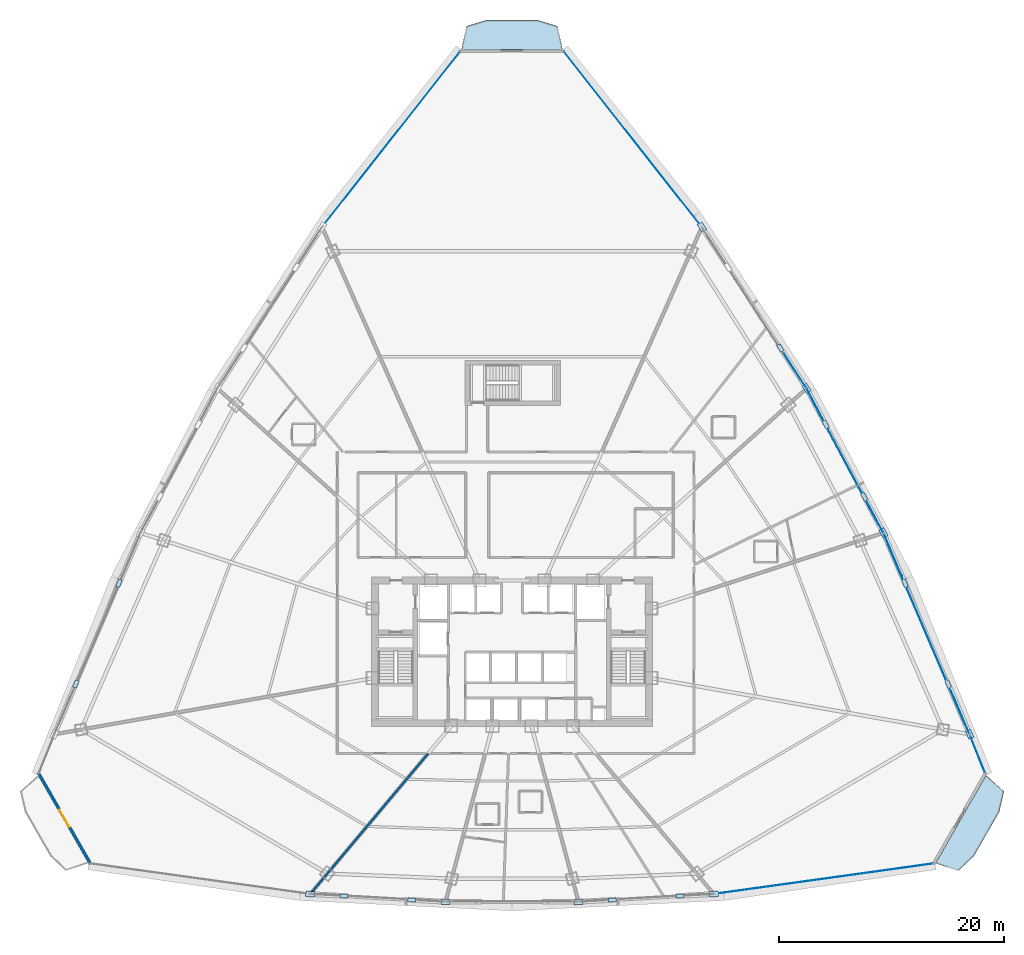
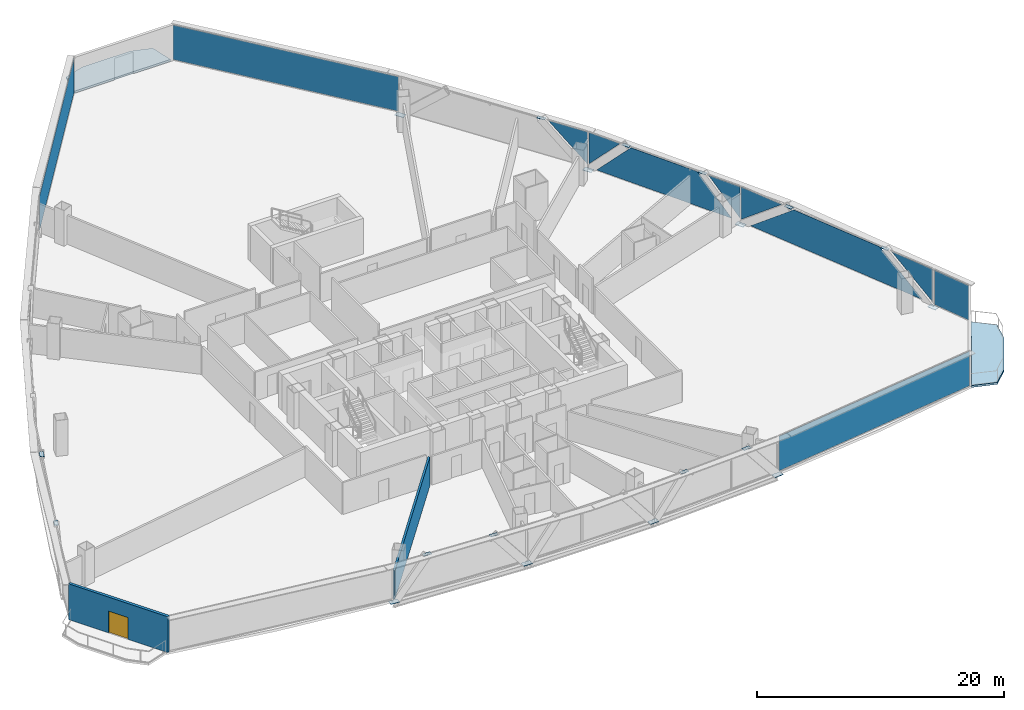
# One storey, part 29 of 38: 30 plates, 2 slabs, 2 walls, 1 door, 1 opening, 7 elements without a shape of their own.
"""IFC4 building model written with IfcOpenShell, lengths in metres."""

from ifc_helpers import new_model, si_unit, direction, frame, frame_2d, origin, origin_with_axes, origin_2d, place, context, subcontext, project, spatial, polyline, rectangle, outline, extrude, source, transform, mapped, material, layer, layer_set, type_object, element, fill, aggregate, save


model = new_model("IFC4")

# Units and contexts
model_context = context("Model", 3, precision=1e-05, world=origin(), true_north=direction((0.0, 1.0)))
body_context = subcontext(model_context, "Body", "Model", "MODEL_VIEW")
ifc_project = project(units=[si_unit("LENGTHUNIT", "METRE"), si_unit("AREAUNIT", "SQUARE_METRE"), si_unit("VOLUMEUNIT", "CUBIC_METRE"), si_unit("PLANEANGLEUNIT", "RADIAN"), si_unit("MASSUNIT", "GRAM", prefix="KILO"), si_unit("THERMODYNAMICTEMPERATUREUNIT", "KELVIN"), si_unit("POWERUNIT", "WATT")], contexts=[model_context])

# Site, building, storey
site_placement = place(None, origin())
site = spatial("IfcSite", under=ifc_project, at=site_placement, CompositionType="ELEMENT")
building_placement = place(site_placement, origin())
building = spatial("IfcBuilding", under=site, at=building_placement, Name="Yunzhuo Pagoda Commons", CompositionType="ELEMENT")
storey_placement = place(building_placement, frame((0.0, 0.0, 81.179931640625)))
storey = spatial("IfcBuildingStorey", under=building, at=storey_placement, Name="L20", CompositionType="ELEMENT", Elevation=81.179931640625)

# Curtain wall, plates
ifc_material_1 = material(Name="Anodized aluminium 6063-T6", Category="aluminium")
ifc_layer_1 = layer(ifc_material_1, 0.1650390625)
ifc_layer_set_1 = layer_set([ifc_layer_1], Name="Anodized aluminium 6063-T6")
curtain_wall_type = type_object("IfcCurtainWallType", Name="CW-LOW Low-Zone Ribbon Curtain Wall", PredefinedType="NOTDEFINED", material=ifc_layer_set_1)
curtain_wall_1_placement = place(storey_placement, origin())
curtain_wall_1 = element("IfcCurtainWall", 1, at=curtain_wall_1_placement, inside=storey, type_object=curtain_wall_type, Name="L20 curtain wall CW-L20-F2B2", PredefinedType="NOTDEFINED")
ifc_material_2 = material(Name="Tempered low-e double glazing", Category="glass")
ifc_layer_2 = layer(ifc_material_2, 0.028076171875)
ifc_layer_set_2 = layer_set([ifc_layer_2], Name="Tempered low-e double glazing")
plate_type_1 = type_object("IfcPlateType", Name="CW-LOW-P Low-E Double Glazing 28", PredefinedType="CURTAIN_PANEL", material=ifc_layer_set_2)
plate_1_placement = place(storey_placement, frame((87.89404296875, 28.461669921875, 1.876220703125), z_axis=(0.919250024103, 0.39367422215, 0.0), x_axis=(-0.39367422215, 0.919250024103, 0.0)))
plate_1 = element("IfcPlate", 2, at=plate_1_placement, type_object=plate_type_1, Name="CW panel 1.1 lite 1", PredefinedType="CURTAIN_PANEL", context=body_context, shape_type="SweptSolid", body=[
    extrude(outline(polyline([(-2.0576171875, -1.603759765625), (2.0576171875, 1.603759765625), (-2.0576171875, 1.603759765625), (-2.0576171875, -1.603759765625)])), origin(), (0.0, 0.0, 1.0), 0.028076171875),
])
plate_2_placement = place(storey_placement, frame((84.863525390625, 35.46240234375, 1.77001953125), z_axis=(0.919250024103, 0.39367422215, 0.0), x_axis=(-0.39367422215, 0.919250024103, 0.0)))
plate_2 = element("IfcPlate", 3, at=plate_2_placement, type_object=plate_type_1, Name="CW panel 1.1 lite 2", PredefinedType="CURTAIN_PANEL", context=body_context, shape_type="SweptSolid", body=[
    extrude(outline(polyline([(-8.722412109375, -1.7099609375), (8.722412109375, -1.7099609375), (4.33447265625, 1.7099609375), (-4.33447265625, 1.7099609375), (-8.722412109375, -1.7099609375)])), origin(), (0.0, 0.0, 1.0), 0.028076171875),
])
plate_3_placement = place(storey_placement, frame((81.887939453125, 42.486572265625, 1.876220703125), z_axis=(0.919250024103, 0.39367422215, 0.0), x_axis=(-0.39367422215, 0.919250024103, 0.0)))
plate_3 = element("IfcPlate", 4, at=plate_3_placement, type_object=plate_type_1, Name="CW panel 1.1 lite 3", PredefinedType="CURTAIN_PANEL", context=body_context, shape_type="SweptSolid", body=[
    extrude(outline(polyline([(-2.0576171875, 1.603759765625), (2.0576171875, -1.603759765625), (2.0576171875, 1.603759765625), (-2.0576171875, 1.603759765625)])), origin(), (0.0, 0.0, 1.0), 0.028076171875),
])
aggregate(curtain_wall_1, [plate_1, plate_2, plate_3])

curtain_wall_2_placement = place(storey_placement, origin())
curtain_wall_2 = element("IfcCurtainWall", 5, at=curtain_wall_2_placement, inside=storey, type_object=curtain_wall_type, Name="L20 curtain wall CW-L20-F2B3", PredefinedType="NOTDEFINED")
plate_4_placement = place(storey_placement, frame((80.31884765625, 45.81591796875, 1.91845703125), z_axis=(0.8828050059, 0.469739631666, 0.0), x_axis=(-0.469739631666, 0.8828050059, 0.0)))
plate_4 = element("IfcPlate", 6, at=plate_4_placement, type_object=plate_type_1, Name="CW panel 1.1 lite 1", PredefinedType="CURTAIN_PANEL", context=body_context, shape_type="SweptSolid", body=[
    extrude(outline(polyline([(-1.4970703125, -1.5615234375), (1.4970703125, 1.5615234375), (-1.4970703125, 1.5615234375), (-1.4970703125, -1.5615234375)])), origin(), (0.0, 0.0, 1.0), 0.028076171875),
])
plate_5_placement = place(storey_placement, frame((77.603515625, 50.855224609375, 1.77001953125), z_axis=(0.8828050059, 0.469739631666, 0.0), x_axis=(-0.469739631666, 0.8828050059, 0.0)))
plate_5 = element("IfcPlate", 7, at=plate_5_placement, type_object=plate_type_1, Name="CW panel 1.1 lite 2", PredefinedType="CURTAIN_PANEL", context=body_context, shape_type="SweptSolid", body=[
    extrude(outline(polyline([(-6.453125, -1.7099609375), (6.453125, -1.7099609375), (3.17431640625, 1.7099609375), (-3.17431640625, 1.7099609375), (-6.453125, -1.7099609375)])), origin(), (0.0, 0.0, 1.0), 0.028076171875),
])
plate_6_placement = place(storey_placement, frame((74.941162109375, 55.922607421875, 1.91845703125), z_axis=(0.8828050059, 0.469739631666, 0.0), x_axis=(-0.469739631666, 0.8828050059, 0.0)))
plate_6 = element("IfcPlate", 8, at=plate_6_placement, type_object=plate_type_1, Name="CW panel 1.1 lite 3", PredefinedType="CURTAIN_PANEL", context=body_context, shape_type="SweptSolid", body=[
    extrude(outline(polyline([(-1.4970703125, 1.5615234375), (1.497314453125, -1.5615234375), (1.497314453125, 1.5615234375), (-1.4970703125, 1.5615234375)])), origin(), (0.0, 0.0, 1.0), 0.028076171875),
])
aggregate(curtain_wall_2, [plate_4, plate_5, plate_6])

# Curtain wall, plate
curtain_wall_3_placement = place(storey_placement, origin())
curtain_wall_3 = element("IfcCurtainWall", 9, at=curtain_wall_3_placement, inside=storey, type_object=curtain_wall_type, Name="L20 curtain wall CW-L20-F2B4", PredefinedType="NOTDEFINED")
plate_7_placement = place(storey_placement, frame((73.2001953125, 58.8544921875, 1.89306640625), z_axis=(0.838906636672, 0.544275348466, 0.0), x_axis=(-0.544275348466, 0.838906636672, 0.0)))
plate_7 = element("IfcPlate", 10, at=plate_7_placement, type_object=plate_type_1, Name="CW panel 1.1 lite 1", PredefinedType="CURTAIN_PANEL", context=body_context, shape_type="SweptSolid", body=[
    extrude(outline(polyline([(-1.787109375, -1.5869140625), (1.787109375, 1.587158203125), (-1.787109375, 1.587158203125), (-1.787109375, -1.5869140625)])), origin(), (0.0, 0.0, 1.0), 0.028076171875),
])
aggregate(curtain_wall_3, [plate_7])

# Slabs
ifc_material_3 = material(Name="Concrete C40", Category="concrete")
ifc_layer_3 = layer(ifc_material_3, 0.199951171875)
ifc_layer_set_3 = layer_set([ifc_layer_3], Name="Concrete C40")
slab_type = type_object("IfcSlabType", Name="SL-BAL Vertex Balcony Deck Slab 200", PredefinedType="FLOOR", material=ifc_layer_set_3)
slab_1_placement = place(storey_placement, frame((0.0, 0.0, -0.199951171875)))
element("IfcSlab", 11, at=slab_1_placement, inside=storey, type_object=slab_type, Name="L20 corner balcony V2", PredefinedType="FLOOR", context=body_context, shape_type="SweptSolid", body=[
    extrude(outline(polyline([(85.70166015625, 15.026123046875), (90.2041015625, 22.867919921875), (91.797119140625, 21.4345703125), (91.372314453125, 19.590576171875), (89.12109375, 15.669677734375), (87.742431640625, 14.373291015625), (85.70166015625, 15.026123046875)])), origin(), (0.0, 0.0, 1.0), 0.199951171875),
])
slab_2_placement = place(storey_placement, frame((0.0, 0.0, -0.199951171875)))
element("IfcSlab", 12, at=slab_2_placement, inside=storey, type_object=slab_type, Name="L20 corner balcony V3", PredefinedType="FLOOR", context=body_context, shape_type="SweptSolid", body=[
    extrude(outline(polyline([(52.502685546875, 87.455078125), (43.497314453125, 87.455078125), (43.947509765625, 89.550048828125), (45.748779296875, 90.10009765625), (50.251220703125, 90.10009765625), (52.052490234375, 89.550048828125), (52.502685546875, 87.455078125)])), origin(), (0.0, 0.0, 1.0), 0.199951171875),
])

# Plates
ifc_material_4 = material(Name="Structural steel Q355B", Category="steel")
ifc_layer_4 = layer(ifc_material_4, 0.028076171875)
ifc_layer_set_4 = layer_set([ifc_layer_4], Name="Structural steel Q355B")
plate_type_2 = type_object("IfcPlateType", Name="SP-ND1 Lattice Node Cap Plate 800x500x28", PredefinedType="USERDEFINED", material=ifc_layer_set_4)
shared_shape_1 = source(origin(), body_context, "Body", "SweptSolid", [
    extrude(rectangle(XDim=0.800048828125, YDim=0.5, at=origin_2d()), origin(), (0.0, 0.0, 1.0), 0.028076171875),
])
for number, where, z_axis, x_axis, name in (
    (13, (30.037841796875, 12.293701171875, -0.27392578125), (0.0, 0.0, 1.0), (0.998349844337, -0.057424631585, 0.0), "L20 diamond node plate F1.1A"),
    (14, (42.07861328125, 11.60107421875, -0.27392578125), (0.0, 0.0, 1.0), (1.0, 0.0, 0.0), "L20 diamond node plate F1.2A"),
    (15, (53.92138671875, 11.60107421875, -0.27392578125), (0.0, 0.0, 1.0), (0.998349844337, 0.057424631585, 0.0), "L20 diamond node plate F1.3A"),
    (16, (65.962158203125, 12.293701171875, -0.27392578125), (0.0, 0.0, 1.0), (0.998349844337, 0.057424631585, 0.0), "L20 diamond node plate F1.3B"),
    (17, (88.742919921875, 26.515869140625, -0.27392578125), (0.0, 0.0, 1.0), (-0.39366917931, 0.919252183713, 0.0), "L20 diamond node plate F2.1A"),
    (18, (81.065185546875, 44.443603515625, -0.27392578125), (0.0, 0.0, 1.0), (-0.469733517942, 0.882808258979, 0.0), "L20 diamond node plate F2.2A"),
    (19, (74.2197265625, 57.308349609375, -0.27392578125), (0.0, 0.0, 1.0), (-0.544273044112, 0.838908131712, 0.0), "L20 diamond node plate F2.3A"),
    (20, (64.904052734375, 71.6669921875, -0.27392578125), (0.0, 0.0, 1.0), (-0.544273044112, 0.838908131712, 0.0), "L20 diamond node plate F2.3B"),
):
    element("IfcPlate", number, at=place(storey_placement, frame(where, z_axis=z_axis, x_axis=x_axis)), inside=storey, type_object=plate_type_2, Name=name, ObjectType="STIFFENER_PLATE", PredefinedType="USERDEFINED", context=body_context, shape_type="MappedRepresentation", body=[
        mapped(shared_shape_1, transform((0.0, 0.0, 0.0), scale=1.0)),
    ])
shared_shape_2 = source(origin(), body_context, "Body", "SweptSolid", [
    extrude(rectangle(XDim=0.699951171875, YDim=0.35009765625, at=origin_2d()), origin(), (0.0, 0.0, 1.0), 0.035888671875),
])
for number, where, z_axis, x_axis, name in (
    (21, (33.048095703125, 12.12060546875, 3.501953125), (0.0, 0.0, 1.0), (0.998349844337, -0.057424631585, 0.0), "L20 setback lattice tie plate F1.1L"),
    (22, (39.068359375, 11.774169921875, 3.501953125), (0.0, 0.0, 1.0), (0.998349844337, -0.057424631585, 0.0), "L20 setback lattice tie plate F1.1R"),
    (23, (56.931640625, 11.774169921875, 3.501953125), (0.0, 0.0, 1.0), (0.998349844337, 0.057424631585, 0.0), "L20 setback lattice tie plate F1.3L"),
    (24, (62.951904296875, 12.12060546875, 3.501953125), (0.0, 0.0, 1.0), (0.998349844337, 0.057424631585, 0.0), "L20 setback lattice tie plate F1.3R"),
    (25, (86.823486328125, 30.997802734375, 3.501953125), (0.0, 0.0, 1.0), (-0.39366917931, 0.919252183713, 0.0), "L20 setback lattice tie plate F2.1L"),
    (26, (82.984619140625, 39.961669921875, 3.501953125), (0.0, 0.0, 1.0), (-0.39366917931, 0.919252183713, 0.0), "L20 setback lattice tie plate F2.1R"),
    (27, (79.35400390625, 47.65966796875, 3.501953125), (0.0, 0.0, 1.0), (-0.469733517942, 0.882808258979, 0.0), "L20 setback lattice tie plate F2.2L"),
    (28, (75.93115234375, 54.09228515625, 3.501953125), (0.0, 0.0, 1.0), (-0.469733517942, 0.882808258979, 0.0), "L20 setback lattice tie plate F2.2R"),
    (29, (71.890869140625, 60.898193359375, 3.501953125), (0.0, 0.0, 1.0), (-0.544273044112, 0.838908131712, 0.0), "L20 setback lattice tie plate F2.3L"),
    (30, (13.015380859375, 39.961669921875, 3.501953125), (0.0, 0.0, 1.0), (-0.39366917931, -0.919252183713, 0.0), "L20 setback lattice tie plate F3.3L"),
    (31, (9.176513671875, 30.997802734375, 3.501953125), (0.0, 0.0, 1.0), (-0.39366917931, -0.919252183713, 0.0), "L20 setback lattice tie plate F3.3R"),
):
    element("IfcPlate", number, at=place(storey_placement, frame(where, z_axis=z_axis, x_axis=x_axis)), inside=storey, type_object=plate_type_2, Name=name, ObjectType="STIFFENER_PLATE", PredefinedType="USERDEFINED", context=body_context, shape_type="MappedRepresentation", body=[
        mapped(shared_shape_2, transform((0.0, 0.0, 0.0), scale=1.0)),
    ])

# Curtain wall, plate
curtain_wall_4_placement = place(storey_placement, origin())
curtain_wall_4 = element("IfcCurtainWall", 32, at=curtain_wall_4_placement, inside=storey, type_object=curtain_wall_type, Name="L20 curtain wall CW-L20-F1B5", PredefinedType="NOTDEFINED")
shared_shape_3 = source(origin(), body_context, "Body", "SweptSolid", [
    extrude(rectangle(XDim=19.557861328125, YDim=0.028076171875, at=origin_2d()), origin(), (0.0, 0.0, 1.0), 3.419921875),
])
plate_8_placement = place(storey_placement, frame((75.786865234375, 13.657470703125, 0.06005859375), z_axis=(0.0, 0.0, 1.0), x_axis=(0.990502363677, 0.137495700118, 0.0)))
plate_8 = element("IfcPlate", 33, at=plate_8_placement, type_object=plate_type_1, Name="CW panel 1.1", PredefinedType="CURTAIN_PANEL", context=body_context, shape_type="MappedRepresentation", body=[
    mapped(shared_shape_3, transform((0.0, 0.0, 0.0), scale=1.0)),
])
aggregate(curtain_wall_4, [plate_8])

curtain_wall_5_placement = place(storey_placement, origin())
curtain_wall_5 = element("IfcCurtainWall", 34, at=curtain_wall_5_placement, inside=storey, type_object=curtain_wall_type, Name="L20 curtain wall CW-L20-F2B1", PredefinedType="NOTDEFINED")
shared_shape_4 = source(origin(), body_context, "Body", "SweptSolid", [
    extrude(rectangle(XDim=3.56005859375, YDim=0.028076171875, at=origin_2d()), origin(), (0.0, 0.0, 1.0), 3.419921875),
])
plate_9_placement = place(storey_placement, frame((89.452392578125, 24.73193359375, 0.06005859375), z_axis=(0.0, 0.0, 1.0), x_axis=(-0.369651850711, 0.929170333828, 0.0)))
plate_9 = element("IfcPlate", 35, at=plate_9_placement, type_object=plate_type_1, Name="CW panel 1.1", PredefinedType="CURTAIN_PANEL", context=body_context, shape_type="MappedRepresentation", body=[
    mapped(shared_shape_4, transform((0.0, 0.0, 0.0), scale=1.0)),
])
aggregate(curtain_wall_5, [plate_9])

curtain_wall_6_placement = place(storey_placement, origin())
curtain_wall_6 = element("IfcCurtainWall", 36, at=curtain_wall_6_placement, inside=storey, type_object=curtain_wall_type, Name="L20 curtain wall CW-L20-F2B5", PredefinedType="NOTDEFINED")
shared_shape_5 = source(origin(), body_context, "Body", "SweptSolid", [
    extrude(rectangle(XDim=19.706298828125, YDim=0.028076171875, at=origin_2d()), origin(), (0.0, 0.0, 1.0), 3.419921875),
])
plate_10_placement = place(storey_placement, frame((58.7275390625, 79.52294921875, 0.06005859375), z_axis=(0.0, 0.0, 1.0), x_axis=(-0.618059974111, 0.786130948635, 0.0)))
plate_10 = element("IfcPlate", 37, at=plate_10_placement, type_object=plate_type_1, Name="CW panel 1.1", PredefinedType="CURTAIN_PANEL", context=body_context, shape_type="MappedRepresentation", body=[
    mapped(shared_shape_5, transform((0.0, 0.0, 0.0), scale=1.0)),
])
aggregate(curtain_wall_6, [plate_10])

curtain_wall_7_placement = place(storey_placement, origin())
curtain_wall_7 = element("IfcCurtainWall", 38, at=curtain_wall_7_placement, inside=storey, type_object=curtain_wall_type, Name="L20 curtain wall CW-L20-F3B1", PredefinedType="NOTDEFINED")
plate_11_placement = place(storey_placement, frame((37.2724609375, 79.52294921875, 0.06005859375), z_axis=(0.0, 0.0, 1.0), x_axis=(-0.618059974111, -0.786130948635, 0.0)))
plate_11 = element("IfcPlate", 39, at=plate_11_placement, type_object=plate_type_1, Name="CW panel 1.1", PredefinedType="CURTAIN_PANEL", context=body_context, shape_type="MappedRepresentation", body=[
    mapped(shared_shape_5, transform((0.0, 0.0, 0.0), scale=1.0)),
])
aggregate(curtain_wall_7, [plate_11])

# Wall, opening, door
ifc_material_5 = material(Name="Precast concrete C40", Category="concrete")
ifc_layer_5 = layer(ifc_material_5, 0.260009765625)
ifc_layer_set_5 = layer_set([ifc_layer_5], Name="Precast concrete C40")
wall_type_1 = type_object("IfcWallType", Name="W-BAL1 Corner Balcony Threshold Wall 260", PredefinedType="STANDARD", material=ifc_layer_set_5)
wall_1_placement = place(storey_placement, frame((5.838134765625, 23.065185546875, 0.0), z_axis=(0.0, 0.0, 1.0), x_axis=(0.497922114025, -0.867221752705, 0.0)))
wall_1 = element("IfcWall", 40, at=wall_1_placement, inside=storey, type_object=wall_type_1, Name="L20 corner balcony wall V1", PredefinedType="STANDARD", context=body_context, shape_type="SweptSolid", body=[
    extrude(rectangle(XDim=9.342529296875, YDim=0.260009765625, at=frame_2d((4.67138671875, 0.0))), origin(), (0.0, 0.0, 1.0), 3.5400390625),
])
opening_placement = place(wall_1_placement, frame((3.771240234375, 0.0, 0.0)))
opening = element("IfcOpeningElement", 41, at=opening_placement, cuts=wall_1, Name="Opening D-BAL1", PredefinedType="OPENING", context=body_context, shape_type="SweptSolid", body=[
    extrude(rectangle(XDim=1.800048828125, YDim=2.14990234375, at=frame_2d((0.89990234375, 1.074951171875))), frame((0.0, 0.14013671875, 0.0), z_axis=(0.0, -1.0, 0.0), x_axis=(1.0, 0.0, 0.0)), (0.0, 0.0, 1.0), 0.280029296875),
])
ifc_material_6 = material(Name="Anodized aluminium frame and tempered glazed leaf", Category="aluminium")
door_type = type_object("IfcDoorType", Name="D-BAL1 Corner Balcony Sliding Glazed Door 1800x2150", OperationType="DOUBLE_DOOR_SLIDING", PredefinedType="DOOR", material=ifc_material_6)
shared_shape_6 = source(origin(), body_context, "Body", "SweptSolid", [
    extrude(rectangle(XDim=1.800048828125, YDim=2.14990234375, at=frame_2d((0.89990234375, 1.074951171875))), frame((0.0, 0.02490234375, 0.0), z_axis=(0.0, -1.0, 0.0), x_axis=(1.0, 0.0, 0.0)), (0.0, 0.0, 1.0), 0.050048828125),
])
door_placement = place(opening_placement, origin_with_axes())
door = element("IfcDoor", 42, at=door_placement, inside=storey, type_object=door_type, Name="L20 corner balcony sliding door V1", OperationType="DOUBLE_DOOR_SLIDING", OverallHeight=2.14990234375, OverallWidth=1.800048828125, PredefinedType="DOOR", context=body_context, shape_type="MappedRepresentation", body=[
    mapped(shared_shape_6, transform((0.0, 0.0, 0.0), scale=1.0)),
])
fill(opening, door)

# Wall
ifc_material_7 = material(Name="Gypsum plasterboard on acoustic stud")
ifc_layer_6 = layer(ifc_material_7, 0.179931640625)
ifc_layer_set_6 = layer_set([ifc_layer_6], Name="Gypsum plasterboard on acoustic stud")
wall_type_2 = type_object("IfcWallType", Name="W-PRT2 Acoustic Unit Demising Wall 180", PredefinedType="PARTITIONING", material=ifc_layer_set_6)
wall_2_placement = place(storey_placement, frame((40.531982421875, 24.800048828125, 0.0), z_axis=(0.0, 0.0, 1.0), x_axis=(-0.642790086939, -0.76604236445, 0.0)))
element("IfcWall", 43, at=wall_2_placement, inside=storey, type_object=wall_type_2, Name="L20 interior wall IW-L20-RAD10", PredefinedType="PARTITIONING", context=body_context, shape_type="SweptSolid", body=[
    extrude(rectangle(XDim=16.325927734375, YDim=0.179931640625, at=frame_2d((8.1630859375, 0.0))), origin(), (0.0, 0.0, 1.0), 2.840087890625),
])

save(model, "model.ifc")
